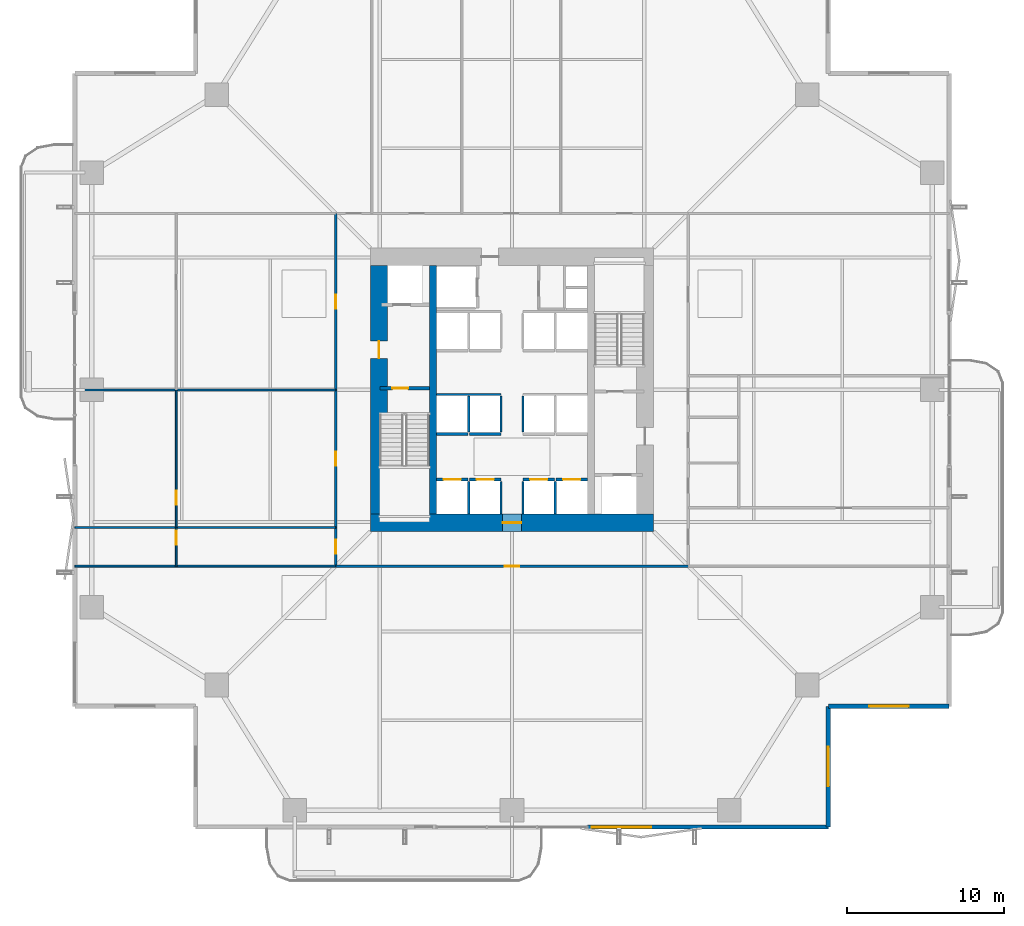
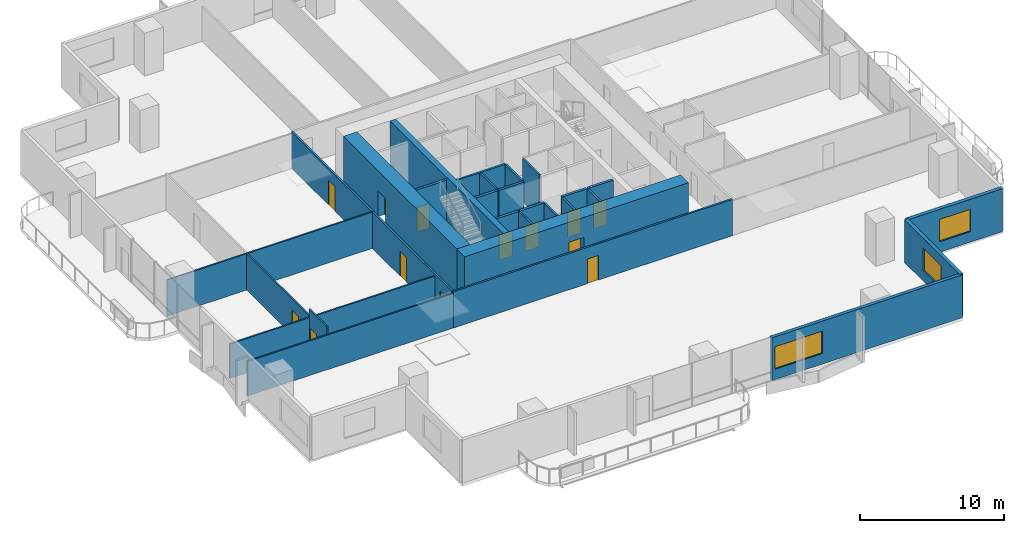
# One storey, part 17 of 23: 28 walls, 13 doors, 3 windows, 16 openings.
"""IFC4 building model written with IfcOpenShell, lengths in metres."""

from ifc_helpers import new_model, si_unit, direction, frame, frame_2d, origin, place, context, subcontext, project, spatial, rectangle, extrude, material, layer, layer_set, type_object, element, fill, save


model = new_model("IFC4")

# Units and contexts
model_context = context("Model", 3, precision=1e-05, world=origin(), true_north=direction((0.0, 1.0)))
body_context = subcontext(model_context, "Body", "Model", "MODEL_VIEW")
ifc_project = project(units=[si_unit("LENGTHUNIT", "METRE"), si_unit("AREAUNIT", "SQUARE_METRE"), si_unit("VOLUMEUNIT", "CUBIC_METRE"), si_unit("PLANEANGLEUNIT", "RADIAN"), si_unit("MASSUNIT", "GRAM", prefix="KILO")], contexts=[model_context])

# Site, building, storey
site_placement = place(None, origin())
site = spatial("IfcSite", under=ifc_project, at=site_placement, CompositionType="ELEMENT")
building_placement = place(site_placement, origin())
building = spatial("IfcBuilding", under=site, at=building_placement, Name="Belovzor Exchange Tower", CompositionType="ELEMENT")
storey_placement = place(building_placement, frame((0.0, 0.0, 100.199951171875)))
storey = spatial("IfcBuildingStorey", under=building, at=storey_placement, Name="L24", CompositionType="ELEMENT", Elevation=100.199951171875)

# Wall
ifc_material_1 = material(Name="Acoustic Plasterboard on Galvanised Studs", Category="gypsum")
ifc_layer_1 = layer(ifc_material_1, 0.1201171875)
ifc_layer_set_1 = layer_set([ifc_layer_1], Name="Acoustic Plasterboard on Galvanised Studs")
wall_type_1 = type_object("IfcWallType", Name="Acoustic Double-Stud Partition Wall 120", PredefinedType="PARTITIONING", material=ifc_layer_set_1)
wall_1_placement = place(storey_placement, frame((1.030029296875, 17.60009765625, 0.0), z_axis=(0.0, 0.0, 1.0), x_axis=(1.0, 0.0, 0.0)))
element("IfcWall", 1, at=wall_1_placement, inside=storey, type_object=wall_type_1, Name="W-P120 Partition Wall W-L24-END-SW", PredefinedType="PARTITIONING", context=body_context, shape_type="SweptSolid", body=[
    extrude(rectangle(XDim=16.570068359375, YDim=0.1201171875, at=frame_2d((8.28515625, 0.0))), origin(), (0.0, 0.0, 1.0), 2.93505859375),
])

# Wall, opening, door
wall_2_placement = place(storey_placement, frame((7.47607421875, 17.60009765625, 0.0), z_axis=(0.0, 0.0, 1.0), x_axis=(0.0, 1.0, 0.0)))
wall_2 = element("IfcWall", 2, at=wall_2_placement, inside=storey, type_object=wall_type_1, Name="W-P120 Partition Wall W-L24-WHDIV-0", PredefinedType="PARTITIONING", context=body_context, shape_type="SweptSolid", body=[
    extrude(rectangle(XDim=2.455810546875, YDim=0.1201171875, at=frame_2d((1.22802734375, 0.0))), origin(), (0.0, 0.0, 1.0), 3.650146484375),
])
opening_1_placement = place(wall_2_placement, frame((1.35595703125, 0.0, 0.0)))
opening_1 = element("IfcOpeningElement", 3, at=opening_1_placement, cuts=wall_2, Name="Opening D-INT-090", PredefinedType="OPENING", context=body_context, shape_type="SweptSolid", body=[
    extrude(rectangle(XDim=0.89990234375, YDim=2.10009765625, at=frame_2d((0.449951171875, 1.050048828125))), frame((0.0, 0.070068359375, 0.0), z_axis=(0.0, -1.0, 0.0), x_axis=(1.0, 0.0, 0.0)), (0.0, 0.0, 1.0), 0.14013671875),
])
ifc_material_2 = material(Name="Veneered Hardwood Acoustic Leaf", Category="wood")
door_type_1 = type_object("IfcDoorType", Name="Trading Suite Acoustic Single Door 900x2100", OperationType="NOTDEFINED", PredefinedType="DOOR", material=ifc_material_2)
door_1_placement = place(opening_1_placement, origin())
door_1 = element("IfcDoor", 4, at=door_1_placement, inside=storey, type_object=door_type_1, Name="D-INT-090 Trading Suite Acoustic Single Door 900x2100", OperationType="SINGLE_SWING_LEFT", OverallHeight=2.10009765625, OverallWidth=0.89990234375, PredefinedType="DOOR", context=body_context, shape_type="SweptSolid", body=[
    extrude(rectangle(XDim=0.89990234375, YDim=2.10009765625, at=frame_2d((0.449951171875, 1.050048828125))), frame((0.0, 0.02490234375, 0.0), z_axis=(0.0, -1.0, 0.0), x_axis=(1.0, 0.0, 0.0)), (0.0, 0.0, 1.0), 0.050048828125),
])
fill(opening_1, door_1)

# Wall
wall_3_placement = place(storey_placement, frame((1.030029296875, 20.055908203125, 0.0), z_axis=(0.0, 0.0, 1.0), x_axis=(1.0, 0.0, 0.0)))
element("IfcWall", 5, at=wall_3_placement, inside=storey, type_object=wall_type_1, Name="W-P120 Partition Wall W-L24-WDIV-1", PredefinedType="PARTITIONING", context=body_context, shape_type="SweptSolid", body=[
    extrude(rectangle(XDim=16.570068359375, YDim=0.1201171875, at=frame_2d((8.28515625, 0.0))), origin(), (0.0, 0.0, 1.0), 2.93505859375),
])

# Wall, opening, door
wall_4_placement = place(storey_placement, frame((7.47607421875, 20.055908203125, 0.0), z_axis=(0.0, 0.0, 1.0), x_axis=(0.0, 1.0, 0.0)))
wall_4 = element("IfcWall", 6, at=wall_4_placement, inside=storey, type_object=wall_type_1, Name="W-P120 Partition Wall W-L24-WHDIV-1", PredefinedType="PARTITIONING", context=body_context, shape_type="SweptSolid", body=[
    extrude(rectangle(XDim=8.731201171875, YDim=0.1201171875, at=frame_2d((4.36572265625, 0.0))), origin(), (0.0, 0.0, 1.0), 3.0849609375),
])
opening_2_placement = place(wall_4_placement, frame((1.43798828125, 0.0, 0.0)))
opening_2 = element("IfcOpeningElement", 7, at=opening_2_placement, cuts=wall_4, Name="Opening D-INT-090", PredefinedType="OPENING", context=body_context, shape_type="SweptSolid", body=[
    extrude(rectangle(XDim=0.89990234375, YDim=2.10009765625, at=frame_2d((0.449951171875, 1.050048828125))), frame((0.0, 0.070068359375, 0.0), z_axis=(0.0, -1.0, 0.0), x_axis=(1.0, 0.0, 0.0)), (0.0, 0.0, 1.0), 0.14013671875),
])
door_2_placement = place(opening_2_placement, origin())
door_2 = element("IfcDoor", 8, at=door_2_placement, inside=storey, type_object=door_type_1, Name="D-INT-090 Trading Suite Acoustic Single Door 900x2100", OperationType="SINGLE_SWING_LEFT", OverallHeight=2.10009765625, OverallWidth=0.89990234375, PredefinedType="DOOR", context=body_context, shape_type="SweptSolid", body=[
    extrude(rectangle(XDim=0.89990234375, YDim=2.10009765625, at=frame_2d((0.449951171875, 1.050048828125))), frame((0.0, 0.02490234375, 0.0), z_axis=(0.0, -1.0, 0.0), x_axis=(1.0, 0.0, 0.0)), (0.0, 0.0, 1.0), 0.050048828125),
])
fill(opening_2, door_2)

# Wall
wall_5_placement = place(storey_placement, frame((1.030029296875, 28.787109375, 0.0), z_axis=(0.0, 0.0, 1.0), x_axis=(1.0, 0.0, 0.0)))
element("IfcWall", 9, at=wall_5_placement, inside=storey, type_object=wall_type_1, Name="W-P120 Partition Wall W-L24-WDIV-2", PredefinedType="PARTITIONING", context=body_context, shape_type="SweptSolid", body=[
    extrude(rectangle(XDim=16.570068359375, YDim=0.1201171875, at=frame_2d((8.28515625, 0.0))), origin(), (0.0, 0.0, 1.0), 3.0849609375),
])

# Wall, opening, door
ifc_material_3 = material(Name="Fire-Rated Gypsum Block and Mineral Wool", Category="gypsum")
ifc_layer_2 = layer(ifc_material_3, 0.14990234375)
ifc_layer_set_2 = layer_set([ifc_layer_2], Name="Fire-Rated Gypsum Block and Mineral Wool")
wall_type_2 = type_object("IfcWallType", Name="Fire-Rated Gypsum Block Corridor Wall 150", PredefinedType="PARTITIONING", material=ifc_layer_set_2)
wall_6_placement = place(storey_placement, frame((17.60009765625, 17.60009765625, 0.0), z_axis=(0.0, 0.0, 1.0), x_axis=(1.0, 0.0, 0.0)))
wall_6 = element("IfcWall", 10, at=wall_6_placement, inside=storey, type_object=wall_type_2, Name="W-P150 Partition Wall W-L24-CS", PredefinedType="PARTITIONING", context=body_context, shape_type="SweptSolid", body=[
    extrude(rectangle(XDim=22.39990234375, YDim=0.14990234375, at=frame_2d((11.199951171875, 0.0))), origin(), (0.0, 0.0, 1.0), 3.0849609375),
])
opening_3_placement = place(wall_6_placement, frame((10.75, 0.0, 0.0)))
opening_3 = element("IfcOpeningElement", 11, at=opening_3_placement, cuts=wall_6, Name="Opening D-INT-090", PredefinedType="OPENING", context=body_context, shape_type="SweptSolid", body=[
    extrude(rectangle(XDim=0.89990234375, YDim=2.10009765625, at=frame_2d((0.449951171875, 1.050048828125))), frame((0.0, 0.0849609375, 0.0), z_axis=(0.0, -1.0, 0.0), x_axis=(1.0, 0.0, 0.0)), (0.0, 0.0, 1.0), 0.169921875),
])
door_3_placement = place(opening_3_placement, origin())
door_3 = element("IfcDoor", 12, at=door_3_placement, inside=storey, type_object=door_type_1, Name="D-INT-090 Trading Suite Acoustic Single Door 900x2100", OperationType="SINGLE_SWING_LEFT", OverallHeight=2.10009765625, OverallWidth=0.89990234375, PredefinedType="DOOR", context=body_context, shape_type="SweptSolid", body=[
    extrude(rectangle(XDim=0.89990234375, YDim=2.10009765625, at=frame_2d((0.449951171875, 1.050048828125))), frame((0.0, 0.02490234375, 0.0), z_axis=(0.0, -1.0, 0.0), x_axis=(1.0, 0.0, 0.0)), (0.0, 0.0, 1.0), 0.050048828125),
])
fill(opening_3, door_3)

# Wall, openings, doors
wall_7_placement = place(storey_placement, frame((17.60009765625, 17.60009765625, 0.0), z_axis=(0.0, 0.0, 1.0), x_axis=(0.0, 1.0, 0.0)))
wall_7 = element("IfcWall", 13, at=wall_7_placement, inside=storey, type_object=wall_type_2, Name="W-P150 Partition Wall W-L24-CW", PredefinedType="PARTITIONING", context=body_context, shape_type="SweptSolid", body=[
    extrude(rectangle(XDim=22.39990234375, YDim=0.14990234375, at=frame_2d((11.199951171875, 0.0))), origin(), (0.0, 0.0, 1.0), 3.0849609375),
])
opening_4_placement = place(wall_7_placement, frame((0.778076171875, 0.0, 0.0)))
opening_4 = element("IfcOpeningElement", 14, at=opening_4_placement, cuts=wall_7, Name="Opening D-INT-090", PredefinedType="OPENING", context=body_context, shape_type="SweptSolid", body=[
    extrude(rectangle(XDim=0.89990234375, YDim=2.10009765625, at=frame_2d((0.449951171875, 1.050048828125))), frame((0.0, 0.0849609375, 0.0), z_axis=(0.0, -1.0, 0.0), x_axis=(1.0, 0.0, 0.0)), (0.0, 0.0, 1.0), 0.169921875),
])
opening_5_placement = place(wall_7_placement, frame((6.3720703125, 0.0, 0.0)))
opening_5 = element("IfcOpeningElement", 15, at=opening_5_placement, cuts=wall_7, Name="Opening D-INT-090", PredefinedType="OPENING", context=body_context, shape_type="SweptSolid", body=[
    extrude(rectangle(XDim=0.89990234375, YDim=2.10009765625, at=frame_2d((0.449951171875, 1.050048828125))), frame((0.0, 0.0849609375, 0.0), z_axis=(0.0, -1.0, 0.0), x_axis=(1.0, 0.0, 0.0)), (0.0, 0.0, 1.0), 0.169921875),
])
opening_6_placement = place(wall_7_placement, frame((16.343017578125, 0.0, 0.0)))
opening_6 = element("IfcOpeningElement", 16, at=opening_6_placement, cuts=wall_7, Name="Opening D-INT-090", PredefinedType="OPENING", context=body_context, shape_type="SweptSolid", body=[
    extrude(rectangle(XDim=0.89990234375, YDim=2.10009765625, at=frame_2d((0.449951171875, 1.050048828125))), frame((0.0, 0.0849609375, 0.0), z_axis=(0.0, -1.0, 0.0), x_axis=(1.0, 0.0, 0.0)), (0.0, 0.0, 1.0), 0.169921875),
])
door_4_placement = place(opening_4_placement, origin())
door_4 = element("IfcDoor", 17, at=door_4_placement, inside=storey, type_object=door_type_1, Name="D-INT-090 Trading Suite Acoustic Single Door 900x2100", OperationType="SINGLE_SWING_LEFT", OverallHeight=2.10009765625, OverallWidth=0.89990234375, PredefinedType="DOOR", context=body_context, shape_type="SweptSolid", body=[
    extrude(rectangle(XDim=0.89990234375, YDim=2.10009765625, at=frame_2d((0.449951171875, 1.050048828125))), frame((0.0, 0.02490234375, 0.0), z_axis=(0.0, -1.0, 0.0), x_axis=(1.0, 0.0, 0.0)), (0.0, 0.0, 1.0), 0.050048828125),
])
fill(opening_4, door_4)
door_5_placement = place(opening_5_placement, origin())
door_5 = element("IfcDoor", 18, at=door_5_placement, inside=storey, type_object=door_type_1, Name="D-INT-090 Trading Suite Acoustic Single Door 900x2100", OperationType="SINGLE_SWING_RIGHT", OverallHeight=2.10009765625, OverallWidth=0.89990234375, PredefinedType="DOOR", context=body_context, shape_type="SweptSolid", body=[
    extrude(rectangle(XDim=0.89990234375, YDim=2.10009765625, at=frame_2d((0.449951171875, 1.050048828125))), frame((0.0, 0.02490234375, 0.0), z_axis=(0.0, -1.0, 0.0), x_axis=(1.0, 0.0, 0.0)), (0.0, 0.0, 1.0), 0.050048828125),
])
fill(opening_5, door_5)
door_6_placement = place(opening_6_placement, origin())
door_6 = element("IfcDoor", 19, at=door_6_placement, inside=storey, type_object=door_type_1, Name="D-INT-090 Trading Suite Acoustic Single Door 900x2100", OperationType="SINGLE_SWING_LEFT", OverallHeight=2.10009765625, OverallWidth=0.89990234375, PredefinedType="DOOR", context=body_context, shape_type="SweptSolid", body=[
    extrude(rectangle(XDim=0.89990234375, YDim=2.10009765625, at=frame_2d((0.449951171875, 1.050048828125))), frame((0.0, 0.02490234375, 0.0), z_axis=(0.0, -1.0, 0.0), x_axis=(1.0, 0.0, 0.0)), (0.0, 0.0, 1.0), 0.050048828125),
])
fill(opening_6, door_6)

# Wall, opening, window
ifc_material_4 = material(Name="Precast concrete C40/50", Category="concrete")
ifc_layer_3 = layer(ifc_material_4, 0.280029296875)
ifc_layer_set_3 = layer_set([ifc_layer_3], Name="Precast concrete C40/50")
wall_type_3 = type_object("IfcWallType", Name="Precast Concrete Notched Corner Frame Wall 280", PredefinedType="SOLIDWALL", material=ifc_layer_set_3)
wall_8_placement = place(storey_placement, frame((56.570068359375, 8.699951171875, 0.0), z_axis=(0.0, 0.0, 1.0), x_axis=(-1.0, 0.0, 0.0)))
wall_8 = element("IfcWall", 20, at=wall_8_placement, inside=storey, type_object=wall_type_3, Name="W-CRN280 Precast Concrete Notched Corner Frame Wall 280 L24", PredefinedType="SOLIDWALL", context=body_context, shape_type="SweptSolid", body=[
    extrude(rectangle(XDim=7.670166015625, YDim=0.280029296875, at=frame_2d((3.8349609375, 0.0))), origin(), (0.0, 0.0, 1.0), 3.650146484375),
])
opening_7_placement = place(wall_8_placement, frame((2.5849609375, 0.0, 0.89990234375)))
opening_7 = element("IfcOpeningElement", 21, at=opening_7_placement, cuts=wall_8, Name="Opening WN-CRN250", PredefinedType="OPENING", context=body_context, shape_type="SweptSolid", body=[
    extrude(rectangle(XDim=2.5, YDim=1.89990234375, at=frame_2d((1.25, 0.949951171875))), frame((0.0, 0.14990234375, 0.0), z_axis=(0.0, -1.0, 0.0), x_axis=(1.0, 0.0, 0.0)), (0.0, 0.0, 1.0), 0.300048828125),
])
ifc_material_5 = material(Name="Thermally Broken Aluminium and Triple Glazing", Category="aluminium")
window_type_1 = type_object("IfcWindowType", Name="Streamline Moderne Corner Wrap Ribbon Window 2500x1900", PartitioningType="SINGLE_PANEL", PredefinedType="WINDOW", material=ifc_material_5)
window_1_placement = place(opening_7_placement, origin())
window_1 = element("IfcWindow", 22, at=window_1_placement, inside=storey, type_object=window_type_1, Name="WN-CRN250 Streamline Moderne Corner Wrap Ribbon Window 2500x1900", OverallHeight=1.89990234375, OverallWidth=2.5, PartitioningType="SINGLE_PANEL", PredefinedType="WINDOW", context=body_context, shape_type="SweptSolid", body=[
    extrude(rectangle(XDim=2.5, YDim=1.89990234375, at=frame_2d((1.25, 0.949951171875))), frame((0.0, 0.030029296875, 0.0), z_axis=(0.0, -1.0, 0.0), x_axis=(1.0, 0.0, 0.0)), (0.0, 0.0, 1.0), 0.06005859375),
])
fill(opening_7, window_1)

wall_9_placement = place(storey_placement, frame((48.89990234375, 8.699951171875, 0.0), z_axis=(0.0, 0.0, 1.0), x_axis=(0.0, -1.0, 0.0)))
wall_9 = element("IfcWall", 23, at=wall_9_placement, inside=storey, type_object=wall_type_3, Name="W-CRN280 Precast Concrete Notched Corner Frame Wall 280 L24", PredefinedType="SOLIDWALL", context=body_context, shape_type="SweptSolid", body=[
    extrude(rectangle(XDim=7.669921875, YDim=0.280029296875, at=frame_2d((3.8349609375, 0.0))), origin(), (0.0, 0.0, 1.0), 3.650146484375),
])
opening_8_placement = place(wall_9_placement, frame((2.5849609375, 0.0, 0.89990234375)))
opening_8 = element("IfcOpeningElement", 24, at=opening_8_placement, cuts=wall_9, Name="Opening WN-CRN250", PredefinedType="OPENING", context=body_context, shape_type="SweptSolid", body=[
    extrude(rectangle(XDim=2.5, YDim=1.89990234375, at=frame_2d((1.25, 0.949951171875))), frame((0.0, 0.14990234375, 0.0), z_axis=(0.0, -1.0, 0.0), x_axis=(1.0, 0.0, 0.0)), (0.0, 0.0, 1.0), 0.300048828125),
])
window_2_placement = place(opening_8_placement, origin())
window_2 = element("IfcWindow", 25, at=window_2_placement, inside=storey, type_object=window_type_1, Name="WN-CRN250 Streamline Moderne Corner Wrap Ribbon Window 2500x1900", OverallHeight=1.89990234375, OverallWidth=2.5, PartitioningType="SINGLE_PANEL", PredefinedType="WINDOW", context=body_context, shape_type="SweptSolid", body=[
    extrude(rectangle(XDim=2.5, YDim=1.89990234375, at=frame_2d((1.25, 0.949951171875))), frame((0.0, 0.030029296875, 0.0), z_axis=(0.0, -1.0, 0.0), x_axis=(1.0, 0.0, 0.0)), (0.0, 0.0, 1.0), 0.06005859375),
])
fill(opening_8, window_2)

ifc_material_6 = material(Name="Precast concrete C40/50", Category="concrete")
ifc_layer_4 = layer(ifc_material_6, 0.260009765625)
ifc_layer_set_4 = layer_set([ifc_layer_4], Name="Precast concrete C40/50")
wall_type_4 = type_object("IfcWallType", Name="Precast Concrete Perimeter Loggia Frame Wall 260", PredefinedType="SOLIDWALL", material=ifc_layer_set_4)
wall_10_placement = place(storey_placement, frame((48.89990234375, 1.030029296875, 0.0), z_axis=(0.0, 0.0, 1.0), x_axis=(-1.0, 0.0, 0.0)))
wall_10 = element("IfcWall", 26, at=wall_10_placement, inside=storey, type_object=wall_type_4, Name="W-EXT260 Precast Concrete Perimeter Loggia Frame Wall 260 L24", PredefinedType="SOLIDWALL", context=body_context, shape_type="SweptSolid", body=[
    extrude(rectangle(XDim=15.2998046875, YDim=0.260009765625, at=frame_2d((7.64990234375, 0.0))), origin(), (0.0, 0.0, 1.0), 3.650146484375),
])
opening_9_placement = place(wall_10_placement, frame((11.25, 0.0, 0.89990234375)))
opening_9 = element("IfcOpeningElement", 27, at=opening_9_placement, cuts=wall_10, Name="Opening WN-RIB380", PredefinedType="OPENING", context=body_context, shape_type="SweptSolid", body=[
    extrude(rectangle(XDim=3.800048828125, YDim=1.89990234375, at=frame_2d((1.89990234375, 0.949951171875))), frame((0.0, 0.139892578125, 0.0), z_axis=(0.0, -1.0, 0.0), x_axis=(1.0, 0.0, 0.0)), (0.0, 0.0, 1.0), 0.280029296875),
])
ifc_material_7 = material(Name="Thermally Broken Aluminium and Triple Glazing", Category="aluminium")
window_type_2 = type_object("IfcWindowType", Name="Streamline Moderne Horizontal Ribbon Window 3800x1900", PartitioningType="SINGLE_PANEL", PredefinedType="WINDOW", material=ifc_material_7)
window_3_placement = place(opening_9_placement, origin())
window_3 = element("IfcWindow", 28, at=window_3_placement, inside=storey, type_object=window_type_2, Name="WN-RIB380 Streamline Moderne Horizontal Ribbon Window 3800x1900", OverallHeight=1.89990234375, OverallWidth=3.800048828125, PartitioningType="SINGLE_PANEL", PredefinedType="WINDOW", context=body_context, shape_type="SweptSolid", body=[
    extrude(rectangle(XDim=3.800048828125, YDim=1.89990234375, at=frame_2d((1.89990234375, 0.949951171875))), frame((0.0, 0.030029296875, 0.0), z_axis=(0.0, -1.0, 0.0), x_axis=(1.0, 0.0, 0.0)), (0.0, 0.0, 1.0), 0.06005859375),
])
fill(opening_9, window_3)

# Walls
ifc_material_8 = material(Name="Concrete C50/60", Category="concrete")
ifc_layer_5 = layer(ifc_material_8, 0.449951171875)
ifc_layer_set_5 = layer_set([ifc_layer_5], Name="Concrete C50/60")
wall_type_5 = type_object("IfcWallType", Name="Reinforced Concrete Core Internal Web Wall 450", PredefinedType="SHEAR", material=ifc_layer_set_5)
wall_11_placement = place(storey_placement, frame((23.77490234375, 20.89990234375, 0.0), z_axis=(0.0, 0.0, 1.0), x_axis=(0.0, 1.0, 0.0)))
element("IfcWall", 29, at=wall_11_placement, inside=storey, type_object=wall_type_5, Name="CW-W045 Core Internal Web Wall L24 WL", PredefinedType="SHEAR", context=body_context, shape_type="SweptSolid", body=[
    extrude(rectangle(XDim=15.800048828125, YDim=0.449951171875, at=frame_2d((7.89990234375, 0.0))), origin(), (0.0, 0.0, 1.0), 3.900146484375),
])
ifc_material_9 = material(Name="Concrete C50/60", Category="concrete")
ifc_layer_6 = layer(ifc_material_9, 0.14990234375)
ifc_layer_set_6 = layer_set([ifc_layer_6], Name="Concrete C50/60")
wall_type_6 = type_object("IfcWallType", Name="Reinforced Concrete Core Riser Shear Wall 150", PredefinedType="SHEAR", material=ifc_layer_set_6)
for number, where, z_axis, x_axis, name in (
    (30, (26.050048828125, 20.919921875, 0.0), (0.0, 0.0, 1.0), (0.0, 1.0, 0.0), "W-C150S Core Shaft Wall W-SHD-L24-PLL-1"),
    (31, (28.10009765625, 20.919921875, 0.0), (0.0, 0.0, 1.0), (0.0, 1.0, 0.0), "W-C150S Core Shaft Wall W-SHD-L24-PLL-2"),
    (32, (29.5, 20.919921875, 0.0), (0.0, 0.0, 1.0), (0.0, 1.0, 0.0), "W-C150S Core Shaft Wall W-SHD-L24-PLL-3"),
    (33, (31.550048828125, 20.919921875, 0.0), (0.0, 0.0, 1.0), (0.0, 1.0, 0.0), "W-C150S Core Shaft Wall W-SHD-L24-PLL-4"),
):
    element("IfcWall", number, at=place(storey_placement, frame(where, z_axis=z_axis, x_axis=x_axis)), inside=storey, type_object=wall_type_6, Name=name, PredefinedType="SHEAR", context=body_context, shape_type="SweptSolid", body=[
        extrude(rectangle(XDim=2.06005859375, YDim=0.14990234375, at=frame_2d((1.030029296875, 0.0))), origin(), (0.0, 0.0, 1.0), 3.650146484375),
    ])
wall_12_placement = place(storey_placement, frame((24.02001953125, 28.5, 0.0), z_axis=(0.0, 0.0, 1.0), x_axis=(1.0, 0.0, 0.0)))
element("IfcWall", 34, at=wall_12_placement, inside=storey, type_object=wall_type_6, Name="W-C150S Core Shaft Wall W-SHB-L24-PLM-NW", PredefinedType="SHEAR", context=body_context, shape_type="SweptSolid", body=[
    extrude(rectangle(XDim=4.080078125, YDim=0.14990234375, at=frame_2d((2.0400390625, 0.0))), origin(), (0.0, 0.0, 1.0), 3.650146484375),
])
for number, where, z_axis, x_axis, name in (
    (35, (26.050048828125, 26.1201171875, 0.0), (0.0, 0.0, 1.0), (0.0, 1.0, 0.0), "W-C150S Core Shaft Wall W-SHD-L24-PLM-1"),
    (36, (28.10009765625, 26.1201171875, 0.0), (0.0, 0.0, 1.0), (0.0, 1.0, 0.0), "W-C150S Core Shaft Wall W-SHD-L24-PLM-2"),
    (37, (29.5, 26.1201171875, 0.0), (0.0, 0.0, 1.0), (0.0, 1.0, 0.0), "W-C150S Core Shaft Wall W-SHD-L24-PLM-3"),
):
    element("IfcWall", number, at=place(storey_placement, frame(where, z_axis=z_axis, x_axis=x_axis)), inside=storey, type_object=wall_type_6, Name=name, PredefinedType="SHEAR", context=body_context, shape_type="SweptSolid", body=[
        extrude(rectangle(XDim=2.27978515625, YDim=0.14990234375, at=frame_2d((1.139892578125, 0.0))), origin(), (0.0, 0.0, 1.0), 3.650146484375),
    ])

# Wall, opening, door
ifc_material_10 = material(Name="Concrete C50/60", Category="concrete")
ifc_layer_7 = layer(ifc_material_10, 0.199951171875)
ifc_layer_set_7 = layer_set([ifc_layer_7], Name="Concrete C50/60")
wall_type_7 = type_object("IfcWallType", Name="Reinforced Concrete Core Shaft Shear Wall 200", PredefinedType="SHEAR", material=ifc_layer_set_7)
wall_13_placement = place(storey_placement, frame((20.39990234375, 28.89990234375, 0.0), z_axis=(0.0, 0.0, 1.0), x_axis=(1.0, 0.0, 0.0)))
wall_13 = element("IfcWall", 38, at=wall_13_placement, inside=storey, type_object=wall_type_7, Name="W-C200S Core Shaft Wall W-CORE-L24-FFLW1", PredefinedType="SHEAR", context=body_context, shape_type="SweptSolid", body=[
    extrude(rectangle(XDim=3.150146484375, YDim=0.199951171875, at=frame_2d((1.5751953125, 0.0))), origin(), (0.0, 0.0, 1.0), 3.650146484375),
])
opening_10_placement = place(wall_13_placement, frame((0.800048828125, 0.0, 0.0)))
opening_10 = element("IfcOpeningElement", 39, at=opening_10_placement, cuts=wall_13, Name="Opening D-FD90-100", PredefinedType="OPENING", context=body_context, shape_type="SweptSolid", body=[
    extrude(rectangle(XDim=1.0, YDim=2.10009765625, at=frame_2d((0.5, 1.050048828125))), frame((0.0, 0.10986328125, 0.0), z_axis=(0.0, -1.0, 0.0), x_axis=(1.0, 0.0, 0.0)), (0.0, 0.0, 1.0), 0.219970703125),
])
ifc_material_11 = material(Name="Fire-Rated Galvanised Steel Leaf", Category="steel")
door_type_2 = type_object("IfcDoorType", Name="Protected Stairwell Single Fire Door 1000x2100", OperationType="NOTDEFINED", PredefinedType="DOOR", material=ifc_material_11)
door_7_placement = place(opening_10_placement, origin())
door_7 = element("IfcDoor", 40, at=door_7_placement, inside=storey, type_object=door_type_2, Name="D-FD90-100 Protected Stairwell Single Fire Door 1000x2100", OperationType="SINGLE_SWING_RIGHT", OverallHeight=2.10009765625, OverallWidth=1.0, PredefinedType="DOOR", context=body_context, shape_type="SweptSolid", body=[
    extrude(rectangle(XDim=1.0, YDim=2.10009765625, at=frame_2d((0.5, 1.050048828125))), frame((0.0, 0.02490234375, 0.0), z_axis=(0.0, -1.0, 0.0), x_axis=(1.0, 0.0, 0.0)), (0.0, 0.0, 1.0), 0.050048828125),
])
fill(opening_10, door_7)

wall_14_placement = place(storey_placement, frame((24.0, 23.10009765625, 0.0), z_axis=(0.0, 0.0, 1.0), x_axis=(1.0, 0.0, 0.0)))
wall_14 = element("IfcWall", 41, at=wall_14_placement, inside=storey, type_object=wall_type_7, Name="W-C200S Core Shaft Wall W-SH-L24-PL-L1", PredefinedType="SHEAR", context=body_context, shape_type="SweptSolid", body=[
    extrude(rectangle(XDim=2.0, YDim=0.199951171875, at=frame_2d((1.0, 0.0))), origin(), (0.0, 0.0, 1.0), 3.650146484375),
])
opening_11_placement = place(wall_14_placement, frame((0.449951171875, 0.0, 0.0)))
opening_11 = element("IfcOpeningElement", 42, at=opening_11_placement, cuts=wall_14, Name="Opening LD-110", PredefinedType="OPENING", context=body_context, shape_type="SweptSolid", body=[
    extrude(rectangle(XDim=1.10009765625, YDim=2.14990234375, at=frame_2d((0.550048828125, 1.074951171875))), frame((0.0, 0.10986328125, 0.0), z_axis=(0.0, -1.0, 0.0), x_axis=(1.0, 0.0, 0.0)), (0.0, 0.0, 1.0), 0.219970703125),
])
ifc_material_12 = material(Name="Stainless Steel Grade 304", Category="steel")
door_type_3 = type_object("IfcDoorType", Name="Automated Stainless Steel Lift Landing Door 1100x2150", OperationType="SLIDING_TO_RIGHT", PredefinedType="DOOR", material=ifc_material_12)
door_8_placement = place(opening_11_placement, origin())
door_8 = element("IfcDoor", 43, at=door_8_placement, inside=storey, type_object=door_type_3, Name="LD-110 Automated Stainless Steel Lift Landing Door 1100x2150", OperationType="SLIDING_TO_RIGHT", OverallHeight=2.14990234375, OverallWidth=1.10009765625, PredefinedType="DOOR", context=body_context, shape_type="SweptSolid", body=[
    extrude(rectangle(XDim=1.10009765625, YDim=2.14990234375, at=frame_2d((0.550048828125, 1.074951171875))), frame((0.0, 0.02490234375, 0.0), z_axis=(0.0, -1.0, 0.0), x_axis=(1.0, 0.0, 0.0)), (0.0, 0.0, 1.0), 0.050048828125),
])
fill(opening_11, door_8)

wall_15_placement = place(storey_placement, frame((26.10009765625, 23.10009765625, 0.0), z_axis=(0.0, 0.0, 1.0), x_axis=(1.0, 0.0, 0.0)))
wall_15 = element("IfcWall", 44, at=wall_15_placement, inside=storey, type_object=wall_type_7, Name="W-C200S Core Shaft Wall W-SH-L24-PL-L2", PredefinedType="SHEAR", context=body_context, shape_type="SweptSolid", body=[
    extrude(rectangle(XDim=2.0, YDim=0.199951171875, at=frame_2d((1.0, 0.0))), origin(), (0.0, 0.0, 1.0), 3.650146484375),
])
opening_12_placement = place(wall_15_placement, frame((0.449951171875, 0.0, 0.0)))
opening_12 = element("IfcOpeningElement", 45, at=opening_12_placement, cuts=wall_15, Name="Opening LD-110", PredefinedType="OPENING", context=body_context, shape_type="SweptSolid", body=[
    extrude(rectangle(XDim=1.10009765625, YDim=2.14990234375, at=frame_2d((0.550048828125, 1.074951171875))), frame((0.0, 0.10986328125, 0.0), z_axis=(0.0, -1.0, 0.0), x_axis=(1.0, 0.0, 0.0)), (0.0, 0.0, 1.0), 0.219970703125),
])
door_9_placement = place(opening_12_placement, origin())
door_9 = element("IfcDoor", 46, at=door_9_placement, inside=storey, type_object=door_type_3, Name="LD-110 Automated Stainless Steel Lift Landing Door 1100x2150", OperationType="SLIDING_TO_RIGHT", OverallHeight=2.14990234375, OverallWidth=1.10009765625, PredefinedType="DOOR", context=body_context, shape_type="SweptSolid", body=[
    extrude(rectangle(XDim=1.10009765625, YDim=2.14990234375, at=frame_2d((0.550048828125, 1.074951171875))), frame((0.0, 0.02490234375, 0.0), z_axis=(0.0, -1.0, 0.0), x_axis=(1.0, 0.0, 0.0)), (0.0, 0.0, 1.0), 0.050048828125),
])
fill(opening_12, door_9)

wall_16_placement = place(storey_placement, frame((29.5, 23.10009765625, 0.0), z_axis=(0.0, 0.0, 1.0), x_axis=(1.0, 0.0, 0.0)))
wall_16 = element("IfcWall", 47, at=wall_16_placement, inside=storey, type_object=wall_type_7, Name="W-C200S Core Shaft Wall W-SH-L24-PL-L3", PredefinedType="SHEAR", context=body_context, shape_type="SweptSolid", body=[
    extrude(rectangle(XDim=2.0, YDim=0.199951171875, at=frame_2d((1.0, 0.0))), origin(), (0.0, 0.0, 1.0), 3.650146484375),
])
opening_13_placement = place(wall_16_placement, frame((0.449951171875, 0.0, 0.0)))
opening_13 = element("IfcOpeningElement", 48, at=opening_13_placement, cuts=wall_16, Name="Opening LD-110", PredefinedType="OPENING", context=body_context, shape_type="SweptSolid", body=[
    extrude(rectangle(XDim=1.10009765625, YDim=2.14990234375, at=frame_2d((0.550048828125, 1.074951171875))), frame((0.0, 0.10986328125, 0.0), z_axis=(0.0, -1.0, 0.0), x_axis=(1.0, 0.0, 0.0)), (0.0, 0.0, 1.0), 0.219970703125),
])
door_10_placement = place(opening_13_placement, origin())
door_10 = element("IfcDoor", 49, at=door_10_placement, inside=storey, type_object=door_type_3, Name="LD-110 Automated Stainless Steel Lift Landing Door 1100x2150", OperationType="SLIDING_TO_RIGHT", OverallHeight=2.14990234375, OverallWidth=1.10009765625, PredefinedType="DOOR", context=body_context, shape_type="SweptSolid", body=[
    extrude(rectangle(XDim=1.10009765625, YDim=2.14990234375, at=frame_2d((0.550048828125, 1.074951171875))), frame((0.0, 0.02490234375, 0.0), z_axis=(0.0, -1.0, 0.0), x_axis=(1.0, 0.0, 0.0)), (0.0, 0.0, 1.0), 0.050048828125),
])
fill(opening_13, door_10)

wall_17_placement = place(storey_placement, frame((31.60009765625, 23.10009765625, 0.0), z_axis=(0.0, 0.0, 1.0), x_axis=(1.0, 0.0, 0.0)))
wall_17 = element("IfcWall", 50, at=wall_17_placement, inside=storey, type_object=wall_type_7, Name="W-C200S Core Shaft Wall W-SH-L24-PL-L4", PredefinedType="SHEAR", context=body_context, shape_type="SweptSolid", body=[
    extrude(rectangle(XDim=2.0, YDim=0.199951171875, at=frame_2d((1.0, 0.0))), origin(), (0.0, 0.0, 1.0), 3.650146484375),
])
opening_14_placement = place(wall_17_placement, frame((0.449951171875, 0.0, 0.0)))
opening_14 = element("IfcOpeningElement", 51, at=opening_14_placement, cuts=wall_17, Name="Opening LD-110", PredefinedType="OPENING", context=body_context, shape_type="SweptSolid", body=[
    extrude(rectangle(XDim=1.10009765625, YDim=2.14990234375, at=frame_2d((0.550048828125, 1.074951171875))), frame((0.0, 0.10986328125, 0.0), z_axis=(0.0, -1.0, 0.0), x_axis=(1.0, 0.0, 0.0)), (0.0, 0.0, 1.0), 0.219970703125),
])
door_11_placement = place(opening_14_placement, origin())
door_11 = element("IfcDoor", 52, at=door_11_placement, inside=storey, type_object=door_type_3, Name="LD-110 Automated Stainless Steel Lift Landing Door 1100x2150", OperationType="SLIDING_TO_RIGHT", OverallHeight=2.14990234375, OverallWidth=1.10009765625, PredefinedType="DOOR", context=body_context, shape_type="SweptSolid", body=[
    extrude(rectangle(XDim=1.10009765625, YDim=2.14990234375, at=frame_2d((0.550048828125, 1.074951171875))), frame((0.0, 0.02490234375, 0.0), z_axis=(0.0, -1.0, 0.0), x_axis=(1.0, 0.0, 0.0)), (0.0, 0.0, 1.0), 0.050048828125),
])
fill(opening_14, door_11)

# Walls
for number, where, z_axis, x_axis, name in (
    (53, (24.0, 26.0, 0.0), (0.0, 0.0, 1.0), (1.0, 0.0, 0.0), "W-C200S Core Shaft Wall W-SH-L24-PL-M1"),
    (54, (26.10009765625, 26.0, 0.0), (0.0, 0.0, 1.0), (1.0, 0.0, 0.0), "W-C200S Core Shaft Wall W-SH-L24-PL-M2"),
):
    element("IfcWall", number, at=place(storey_placement, frame(where, z_axis=z_axis, x_axis=x_axis)), inside=storey, type_object=wall_type_7, Name=name, PredefinedType="SHEAR", context=body_context, shape_type="SweptSolid", body=[
        extrude(rectangle(XDim=2.0, YDim=0.199951171875, at=frame_2d((1.0, 0.0))), origin(), (0.0, 0.0, 1.0), 3.650146484375),
    ])

# Wall, opening, door
ifc_material_13 = material(Name="Concrete C60/75", Category="concrete")
ifc_layer_8 = layer(ifc_material_13, 1.10009765625)
ifc_layer_set_8 = layer_set([ifc_layer_8], Name="Concrete C60/75")
wall_type_8 = type_object("IfcWallType", Name="Reinforced Concrete Core Shear Wall 1100", PredefinedType="SHEAR", material=ifc_layer_set_8)
wall_18_placement = place(storey_placement, frame((19.800048828125, 20.35009765625, 0.0), z_axis=(0.0, 0.0, 1.0), x_axis=(1.0, 0.0, 0.0)))
wall_18 = element("IfcWall", 55, at=wall_18_placement, inside=storey, type_object=wall_type_8, Name="CW-S110 Core Shear Wall L24 S", PredefinedType="SHEAR", context=body_context, shape_type="SweptSolid", body=[
    extrude(rectangle(XDim=18.0, YDim=1.10009765625, at=frame_2d((9.0, 0.0))), origin(), (0.0, 0.0, 1.0), 3.900146484375),
])
opening_15_placement = place(wall_18_placement, frame((8.39990234375, 0.0, 0.0)))
opening_15 = element("IfcOpeningElement", 56, at=opening_15_placement, cuts=wall_18, Name="Opening D-FD90-120", PredefinedType="OPENING", context=body_context, shape_type="SweptSolid", body=[
    extrude(rectangle(XDim=1.199951171875, YDim=2.199951171875, at=frame_2d((0.60009765625, 1.10009765625))), frame((0.0, 0.56005859375, 0.0), z_axis=(0.0, -1.0, 0.0), x_axis=(1.0, 0.0, 0.0)), (0.0, 0.0, 1.0), 1.1201171875),
])
ifc_material_14 = material(Name="Fire-Rated Galvanised Steel Leaf", Category="steel")
door_type_4 = type_object("IfcDoorType", Name="Heavy Plant & Foyer Fire Door 1200x2200", OperationType="NOTDEFINED", PredefinedType="DOOR", material=ifc_material_14)
door_12_placement = place(opening_15_placement, origin())
door_12 = element("IfcDoor", 57, at=door_12_placement, inside=storey, type_object=door_type_4, Name="D-FD90-120 Heavy Plant & Foyer Fire Door 1200x2200", OperationType="SINGLE_SWING_LEFT", OverallHeight=2.199951171875, OverallWidth=1.199951171875, PredefinedType="DOOR", context=body_context, shape_type="SweptSolid", body=[
    extrude(rectangle(XDim=1.199951171875, YDim=2.199951171875, at=frame_2d((0.60009765625, 1.10009765625))), frame((0.0, 0.02490234375, 0.0), z_axis=(0.0, -1.0, 0.0), x_axis=(1.0, 0.0, 0.0)), (0.0, 0.0, 1.0), 0.050048828125),
])
fill(opening_15, door_12)

wall_19_placement = place(storey_placement, frame((20.35009765625, 20.89990234375, 0.0), z_axis=(0.0, 0.0, 1.0), x_axis=(0.0, 1.0, 0.0)))
wall_19 = element("IfcWall", 58, at=wall_19_placement, inside=storey, type_object=wall_type_8, Name="CW-S110 Core Shear Wall L24 W", PredefinedType="SHEAR", context=body_context, shape_type="SweptSolid", body=[
    extrude(rectangle(XDim=15.800048828125, YDim=1.10009765625, at=frame_2d((7.89990234375, 0.0))), origin(), (0.0, 0.0, 1.0), 3.900146484375),
])
opening_16_placement = place(wall_19_placement, frame((9.89990234375, 0.0, 0.0)))
opening_16 = element("IfcOpeningElement", 59, at=opening_16_placement, cuts=wall_19, Name="Opening D-FD90-110", PredefinedType="OPENING", context=body_context, shape_type="SweptSolid", body=[
    extrude(rectangle(XDim=1.10009765625, YDim=2.14990234375, at=frame_2d((0.550048828125, 1.074951171875))), frame((0.0, 0.56005859375, 0.0), z_axis=(0.0, -1.0, 0.0), x_axis=(1.0, 0.0, 0.0)), (0.0, 0.0, 1.0), 1.1201171875),
])
ifc_material_15 = material(Name="Fire-Rated Galvanised Steel Leaf", Category="steel")
door_type_5 = type_object("IfcDoorType", Name="Protected Escape Vestibule Fire Door 1100x2150", OperationType="NOTDEFINED", PredefinedType="DOOR", material=ifc_material_15)
door_13_placement = place(opening_16_placement, origin())
door_13 = element("IfcDoor", 60, at=door_13_placement, inside=storey, type_object=door_type_5, Name="D-FD90-110 Protected Escape Vestibule Fire Door 1100x2150", OperationType="SINGLE_SWING_LEFT", OverallHeight=2.14990234375, OverallWidth=1.10009765625, PredefinedType="DOOR", context=body_context, shape_type="SweptSolid", body=[
    extrude(rectangle(XDim=1.10009765625, YDim=2.14990234375, at=frame_2d((0.550048828125, 1.074951171875))), frame((0.0, 0.02490234375, 0.0), z_axis=(0.0, -1.0, 0.0), x_axis=(1.0, 0.0, 0.0)), (0.0, 0.0, 1.0), 0.050048828125),
])
fill(opening_16, door_13)

save(model, "model.ifc")
